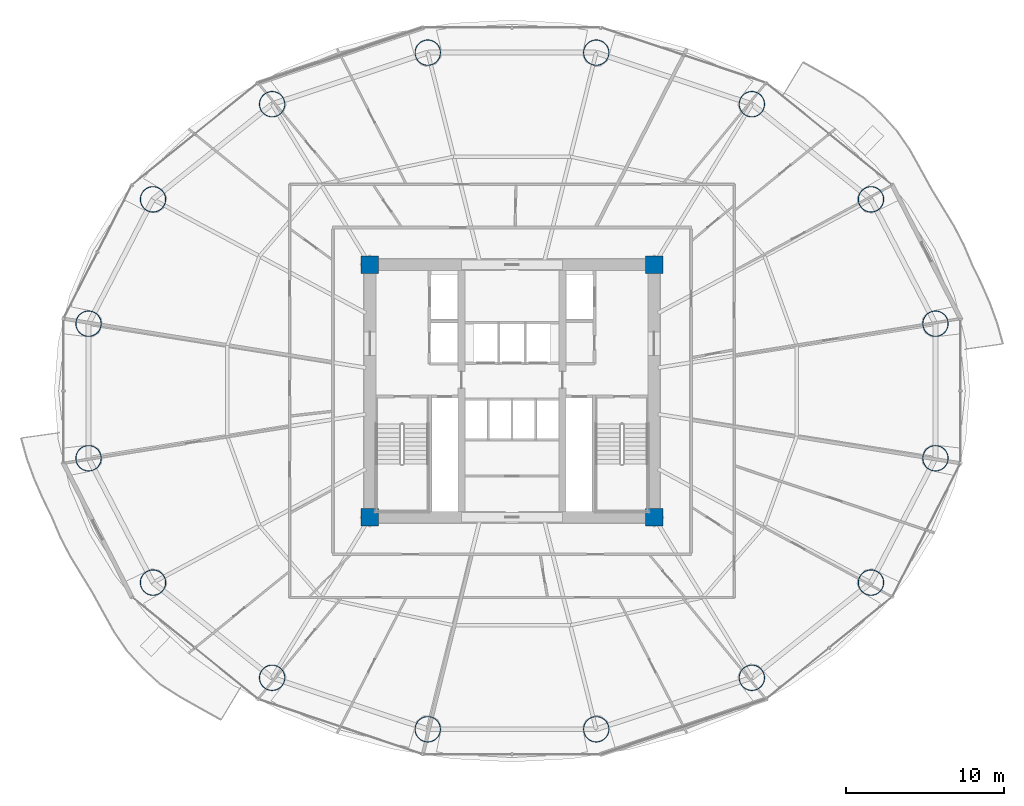
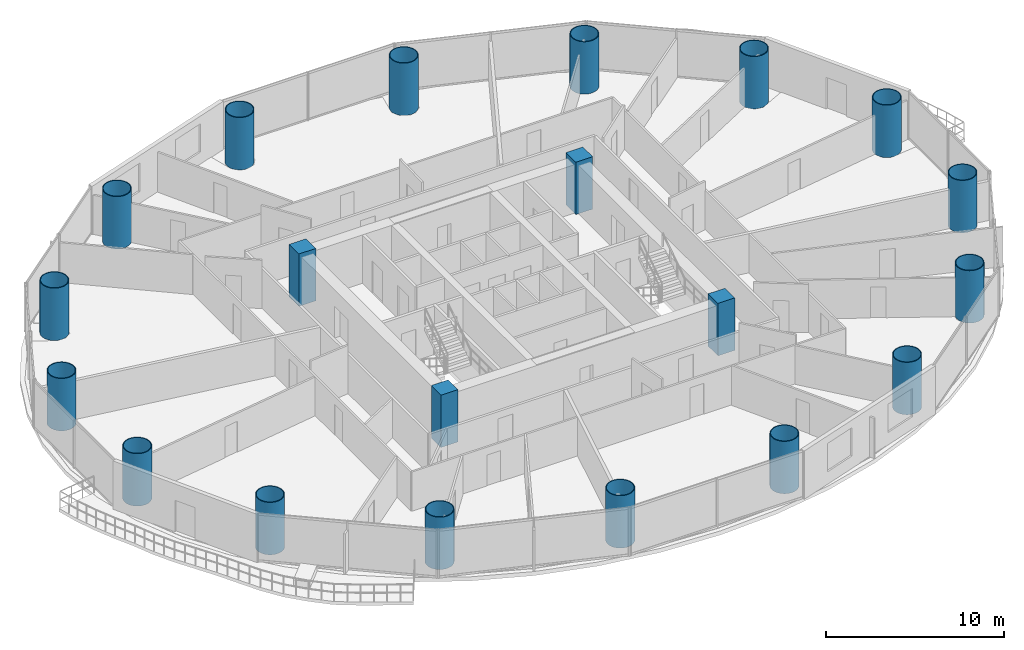
# One storey, part 1 of 30: 20 columns.
"""IFC4 building model written with IfcOpenShell, lengths in metres."""

from ifc_helpers import new_model, si_unit, direction, frame, origin, origin_2d, place, context, subcontext, project, spatial, rectangle, hollow_circle, extrude, material, material_profile, profile_set, type_object, element, save


model = new_model("IFC4")

# Units and contexts
model_context = context("Model", 3, precision=1e-05, world=origin(), true_north=direction((-0.2419218956, 0.970295726276)))
body_context = subcontext(model_context, "Body", "Model", "MODEL_VIEW")
ifc_project = project(units=[si_unit("LENGTHUNIT", "METRE"), si_unit("AREAUNIT", "SQUARE_METRE"), si_unit("VOLUMEUNIT", "CUBIC_METRE"), si_unit("PLANEANGLEUNIT", "RADIAN"), si_unit("MASSUNIT", "GRAM", prefix="KILO")], contexts=[model_context])

# Site, building, storey
site_placement = place(None, origin())
site = spatial("IfcSite", under=ifc_project, at=site_placement, CompositionType="ELEMENT")
building_placement = place(site_placement, origin())
building = spatial("IfcBuilding", under=site, at=building_placement, Name="Cobrevalo Terracotta Tower", CompositionType="ELEMENT")
storey_placement = place(building_placement, frame((0.0, 0.0, 31.199951171875)))
storey = spatial("IfcBuildingStorey", under=building, at=storey_placement, Name="L07", CompositionType="ELEMENT", Elevation=31.199951171875)

# Columns
ifc_material_1 = material(Name="Steel S355", Category="steel")
ifc_material_profile_1 = material_profile(ifc_material_1, hollow_circle(Radius=0.824951171875, WallThickness=0.050048828125, at=origin_2d()), Name="CHS 1650x50")
ifc_profile_set_1 = profile_set([ifc_material_profile_1], Name="Steel S355")
column_type_1 = type_object("IfcColumnType", Name="Structural Column CHS 1650x50 (Steel S355)", PredefinedType="COLUMN", material=ifc_profile_set_1)
for number, where, z_axis, x_axis, name in (
    (1, (64.824462890625, 31.062744140625, 0.0), (0.0, 0.0, 1.0), (1.0, 0.0, 0.0), "L07 composite megacolumn MC01"),
    (2, (60.74072265625, 38.939208984375, 0.0), (0.0, 0.0, 1.0), (1.0, 0.0, 0.0), "L07 composite megacolumn MC02"),
    (3, (53.19482421875, 44.967529296875, 0.0), (0.0, 0.0, 1.0), (1.0, 0.0, 0.0), "L07 composite megacolumn MC03"),
    (4, (43.335693359375, 48.230224609375, 0.0), (0.0, 0.0, 1.0), (1.0, 0.0, 0.0), "L07 composite megacolumn MC04"),
    (5, (32.664306640625, 48.230224609375, 0.0), (0.0, 0.0, 1.0), (1.0, 0.0, 0.0), "L07 composite megacolumn MC05"),
    (6, (22.80517578125, 44.967529296875, 0.0), (0.0, 0.0, 1.0), (1.0, 0.0, 0.0), "L07 composite megacolumn MC06"),
    (7, (15.25927734375, 38.939208984375, 0.0), (0.0, 0.0, 1.0), (1.0, 0.0, 0.0), "L07 composite megacolumn MC07"),
    (8, (11.175537109375, 31.062744140625, 0.0), (0.0, 0.0, 1.0), (1.0, 0.0, 0.0), "L07 composite megacolumn MC08"),
    (9, (11.175537109375, 22.537353515625, 0.0), (0.0, 0.0, 1.0), (1.0, 0.0, 0.0), "L07 composite megacolumn MC09"),
    (10, (15.25927734375, 14.660888671875, 0.0), (0.0, 0.0, 1.0), (1.0, 0.0, 0.0), "L07 composite megacolumn MC10"),
    (11, (22.80517578125, 8.63232421875, 0.0), (0.0, 0.0, 1.0), (1.0, 0.0, 0.0), "L07 composite megacolumn MC11"),
    (12, (32.664306640625, 5.369873046875, 0.0), (0.0, 0.0, 1.0), (1.0, 0.0, 0.0), "L07 composite megacolumn MC12"),
    (13, (43.335693359375, 5.369873046875, 0.0), (0.0, 0.0, 1.0), (1.0, 0.0, 0.0), "L07 composite megacolumn MC13"),
    (14, (53.19482421875, 8.63232421875, 0.0), (0.0, 0.0, 1.0), (1.0, 0.0, 0.0), "L07 composite megacolumn MC14"),
    (15, (60.74072265625, 14.660888671875, 0.0), (0.0, 0.0, 1.0), (1.0, 0.0, 0.0), "L07 composite megacolumn MC15"),
    (16, (64.824462890625, 22.537353515625, 0.0), (0.0, 0.0, 1.0), (1.0, 0.0, 0.0), "L07 composite megacolumn MC16"),
):
    element("IfcColumn", number, at=place(storey_placement, frame(where, z_axis=z_axis, x_axis=x_axis)), inside=storey, type_object=column_type_1, Name=name, PredefinedType="COLUMN", context=body_context, shape_type="SweptSolid", body=[
        extrude(hollow_circle(Radius=0.824951171875, WallThickness=0.050048828125, at=origin_2d()), origin(), (0.0, 0.0, 1.0), 3.60009765625),
    ])
ifc_material_2 = material(Name="Concrete C60", Category="concrete")
ifc_material_profile_2 = material_profile(ifc_material_2, rectangle(XDim=1.10009765625, YDim=1.10009765625, at=origin_2d()), Name="RC COL 1100x1100")
ifc_profile_set_2 = profile_set([ifc_material_profile_2], Name="Concrete C60")
column_type_2 = type_object("IfcColumnType", Name="Structural Column RC COL 1100x1100 (Concrete C60)", PredefinedType="COLUMN", material=ifc_profile_set_2)
for number, where, z_axis, x_axis, name in (
    (17, (29.0, 18.800048828125, 0.0), (0.0, 0.0, 1.0), (1.0, 0.0, 0.0), "L07 core corner column CC1"),
    (18, (47.0, 18.800048828125, 0.0), (0.0, 0.0, 1.0), (1.0, 0.0, 0.0), "L07 core corner column CC2"),
    (19, (47.0, 34.800048828125, 0.0), (0.0, 0.0, 1.0), (1.0, 0.0, 0.0), "L07 core corner column CC3"),
    (20, (29.0, 34.800048828125, 0.0), (0.0, 0.0, 1.0), (1.0, 0.0, 0.0), "L07 core corner column CC4"),
):
    element("IfcColumn", number, at=place(storey_placement, frame(where, z_axis=z_axis, x_axis=x_axis)), inside=storey, type_object=column_type_2, Name=name, PredefinedType="COLUMN", context=body_context, shape_type="SweptSolid", body=[
        extrude(rectangle(XDim=1.10009765625, YDim=1.10009765625, at=origin_2d()), origin(), (0.0, 0.0, 1.0), 3.60009765625),
    ])

save(model, "model.ifc")
